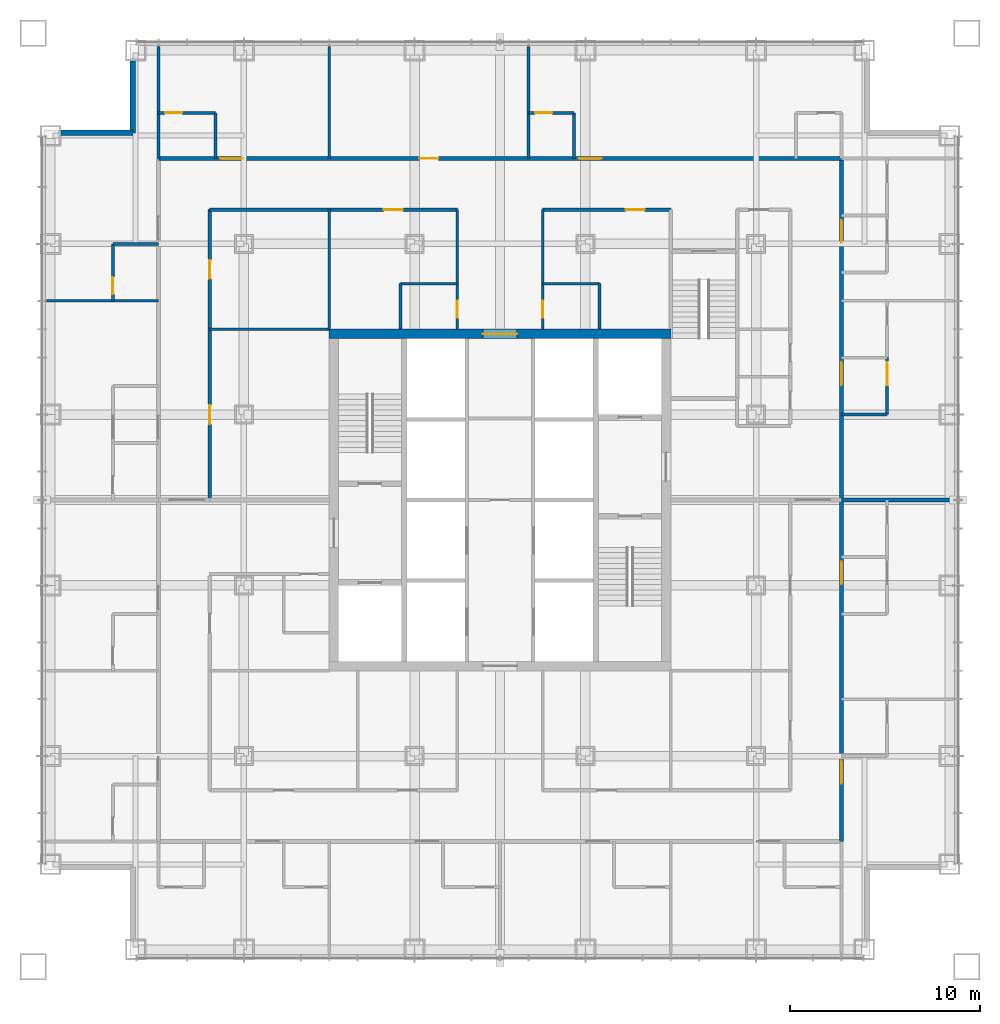
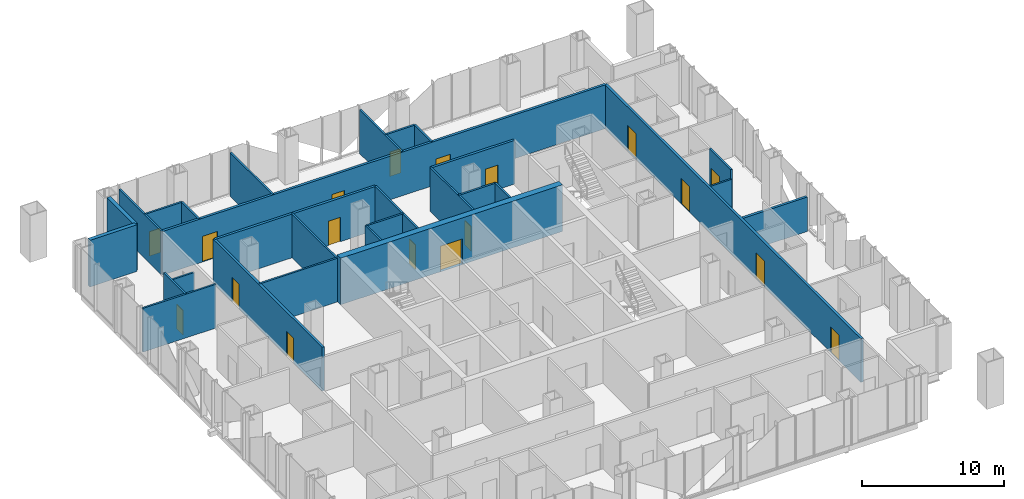
# One storey, part 11 of 13: 29 walls, 18 doors, 18 openings.
"""IFC4 building model written with IfcOpenShell, lengths in metres."""

import ifcopenshell
import ifcopenshell.guid

model = None  # the IFC model being written
_history = None  # IfcOwnerHistory: only IFC2X3 demands one
_inside = {}  # id of a spatial element -> (the spatial element, [elements in it])
_under = {}  # id of a project, library or spatial element -> (it, [spatial elements below it])
_declared = {}  # id of a project -> (the project, [libraries it declares])
_typed = {}  # id of a type object -> (the type object, [elements of that type])
_made_of = {}  # id of a material, layer set ... -> (it, [elements and type objects made of it])


def new_model(schema):
    """Start an empty IFC model of exactly this schema.

    Asked for "IFC4X3", IfcOpenShell would pick the latest addendum, in which some entities
    have other attributes; the version numbers below select the first issue.
    IFC2X3 requires an IfcOwnerHistory on every rooted entity: one is made here for all.
    """
    global model, _history
    if schema == "IFC4X3":
        model = ifcopenshell.file(schema_version=(4, 3, 0, 0))
    else:
        model = ifcopenshell.file(schema=schema)
    _inside.clear()
    _under.clear()
    _declared.clear()
    _typed.clear()
    _made_of.clear()
    _history = None
    if model.schema == "IFC2X3":
        org = make("IfcOrganization", Name="unknown")
        user = make(
            "IfcPersonAndOrganization",
            ThePerson=make("IfcPerson", FamilyName="unknown"),
            TheOrganization=org,
        )
        app = make(
            "IfcApplication",
            ApplicationDeveloper=org,
            Version="unknown",
            ApplicationFullName="unknown",
            ApplicationIdentifier="unknown",
        )
        _history = make(
            "IfcOwnerHistory",
            OwningUser=user,
            OwningApplication=app,
            ChangeAction="ADDED",
            CreationDate=0,
        )
    return model


def make(cls, **values):
    """One entity of the class cls with the attributes given. An attribute that is None is left unset."""
    return model.create_entity(
        cls, **{name: value for name, value in values.items() if value is not None}
    )


def rooted(cls, **values):
    """An entity with a GlobalId (a new one), such as an element, a storey or a relation."""
    return make(cls, GlobalId=ifcopenshell.guid.new(), OwnerHistory=_history, **values)


def si_unit(unit_type, name, prefix=None):
    """IfcSIUnit, for example si_unit("LENGTHUNIT", "METRE", prefix="MILLI")."""
    return make("IfcSIUnit", UnitType=unit_type, Prefix=prefix, Name=name)


def assignment(units):
    """IfcUnitAssignment: the units of a project."""
    return None if units is None else make("IfcUnitAssignment", Units=units)


def point(xyz):
    """IfcCartesianPoint."""
    return None if xyz is None else make("IfcCartesianPoint", Coordinates=xyz)


def direction(xyz):
    """IfcDirection."""
    return None if xyz is None else make("IfcDirection", DirectionRatios=xyz)


def frame(location, z_axis=None, x_axis=None):
    """IfcAxis2Placement3D, a coordinate frame: its origin and axes. An axis left out is left unset."""
    return make(
        "IfcAxis2Placement3D",
        Location=point(location),
        Axis=direction(z_axis),
        RefDirection=direction(x_axis),
    )


def frame_2d(location, x_axis=None):
    """IfcAxis2Placement2D, a coordinate frame in the plane: its origin and x axis."""
    return make(
        "IfcAxis2Placement2D", Location=point(location), RefDirection=direction(x_axis)
    )


def origin():
    """The frame at (0, 0, 0) with its axes left unset."""
    return frame((0.0, 0.0, 0.0))


def place(relative_to, where):
    """IfcLocalPlacement: puts the frame where relative to a parent placement (None: the world)."""
    return make(
        "IfcLocalPlacement", PlacementRelTo=relative_to, RelativePlacement=where
    )


def context(
    kind, dimensions, precision=None, world=None, true_north=None, identifier=None
):
    """IfcGeometricRepresentationContext, for example the 3D "Model" context."""
    return make(
        "IfcGeometricRepresentationContext",
        ContextIdentifier=identifier,
        ContextType=kind,
        CoordinateSpaceDimension=dimensions,
        Precision=precision,
        WorldCoordinateSystem=world,
        TrueNorth=true_north,
    )


def subcontext(parent, identifier, kind, view, scale=None):
    """IfcGeometricRepresentationSubContext, for example "Body" below "Model"."""
    return make(
        "IfcGeometricRepresentationSubContext",
        ContextIdentifier=identifier,
        ContextType=kind,
        ParentContext=parent,
        TargetScale=scale,
        TargetView=view,
    )


def project(units=None, contexts=None):
    """IfcProject with its units and contexts."""
    return rooted(
        "IfcProject",
        Name="project",
        RepresentationContexts=contexts,
        UnitsInContext=assignment(units),
    )


def spatial(cls, under=None, at=None, **own):
    """A site, building, storey or space (cls), placed at a placement, below another one or the project."""
    s = rooted(cls, ObjectPlacement=at, **own)
    if under is not None:
        _under.setdefault(under.id(), (under, []))[1].append(s)
    return s


def profile(cls, at=None, kind="AREA", **sizes):
    """A parametric profile (cls). Its sizes go by their IFC names, for example OverallWidth=200.0."""
    return make(cls, ProfileType=kind, Position=at, **sizes)


def rectangle(**sizes):
    """IfcRectangleProfileDef."""
    return profile("IfcRectangleProfileDef", **sizes)


def extrude(swept, where, along, depth):
    """IfcExtrudedAreaSolid: the profile swept, set in the frame where, extruded along a direction by depth."""
    return make(
        "IfcExtrudedAreaSolid",
        SweptArea=swept,
        Position=where,
        ExtrudedDirection=direction(along),
        Depth=depth,
    )


def shape(context_of_items, identifier, shape_type, items):
    """IfcShapeRepresentation: the items that make up one representation, for example the "Body"."""
    return make(
        "IfcShapeRepresentation",
        ContextOfItems=context_of_items,
        RepresentationIdentifier=identifier,
        RepresentationType=shape_type,
        Items=items,
    )


def material(Name=None, Category=None):
    """IfcMaterial."""
    return make("IfcMaterial", Name=Name, Category=Category)


def layer(
    of_material, thickness, ventilated=None, Name=None, Category=None, Priority=None
):
    """IfcMaterialLayer: one layer of a wall or slab, of a material (None: an air gap)."""
    return make(
        "IfcMaterialLayer",
        Material=of_material,
        LayerThickness=thickness,
        IsVentilated=ventilated,
        Name=Name,
        Category=Category,
        Priority=Priority,
    )


def layer_set(layers, Name=None):
    """IfcMaterialLayerSet."""
    return make("IfcMaterialLayerSet", MaterialLayers=layers, LayerSetName=Name)


def made_of(thing, what):
    """Note that an element or type object is made of a material, layer set ...; save() writes the relation."""
    if what is not None:
        _made_of.setdefault(what.id(), (what, []))[1].append(thing)
    return thing


def type_object(cls, material=None, **own):
    """A type object (cls), such as IfcWallType, which elements share."""
    return made_of(rooted(cls, **own), material)


def element(
    cls,
    number,
    at=None,
    inside=None,
    cuts=None,
    type_object=None,
    material=None,
    context=None,
    identifier="Body",
    shape_type=None,
    held_by="IfcProductDefinitionShape",
    body=None,
    shapes=None,
    **own,
):
    """One element of the class cls, such as IfcWall. Its Tag is "e" and its number.

    at: its placement. inside: the storey or other place that contains it. cuts: it is an
    opening in that element (IfcRelVoidsElement). A single representation is given by context,
    identifier, shape_type and body (its items); several are given by shapes. held_by: the class
    of the entity that holds the representations. save() writes the other relations.
    """
    e = rooted(cls, Tag="e%d" % number, ObjectPlacement=at, **own)
    if body is not None:
        shapes = [shape(context, identifier, shape_type, body)]
    if shapes is not None:
        e.Representation = make(held_by, Representations=shapes)
    if inside is not None:
        _inside.setdefault(inside.id(), (inside, []))[1].append(e)
    if cuts is not None:
        rooted(
            "IfcRelVoidsElement", RelatingBuildingElement=cuts, RelatedOpeningElement=e
        )
    if type_object is not None:
        _typed.setdefault(type_object.id(), (type_object, []))[1].append(e)
    return made_of(e, material)


def fill(opening, filler):
    """IfcRelFillsElement: the door or window that sits in an opening."""
    return rooted(
        "IfcRelFillsElement",
        RelatingOpeningElement=opening,
        RelatedBuildingElement=filler,
    )


def aggregate(whole, parts):
    """IfcRelAggregates: a whole, such as a stair, and the parts it consists of."""
    return rooted("IfcRelAggregates", RelatingObject=whole, RelatedObjects=parts)


def save(model, path):
    """Write the relations noted so far, then the file.

    IfcRelAggregates (storeys below a building ...), IfcRelContainedInSpatialStructure (elements
    in a storey), IfcRelDefinesByType, IfcRelAssociatesMaterial and IfcRelDeclares: one each for
    every whole, place, type object, material and project.
    """
    for whole, parts in _under.values():
        aggregate(whole, parts)
    for where, things in _inside.values():
        rooted(
            "IfcRelContainedInSpatialStructure",
            RelatedElements=things,
            RelatingStructure=where,
        )
    for kind, things in _typed.values():
        rooted("IfcRelDefinesByType", RelatedObjects=things, RelatingType=kind)
    for what, things in _made_of.values():
        rooted("IfcRelAssociatesMaterial", RelatedObjects=things, RelatingMaterial=what)
    for by, libraries in _declared.values():
        rooted("IfcRelDeclares", RelatingContext=by, RelatedDefinitions=libraries)
    model.write(path)


model = new_model("IFC4")

# Units and contexts
model_context = context("Model", 3, precision=1e-05, world=origin(), true_north=direction((0.0, 1.0)))
body_context = subcontext(model_context, "Body", "Model", "MODEL_VIEW")
ifc_project = project(units=[si_unit("LENGTHUNIT", "METRE"), si_unit("AREAUNIT", "SQUARE_METRE"), si_unit("VOLUMEUNIT", "CUBIC_METRE"), si_unit("PLANEANGLEUNIT", "RADIAN"), si_unit("MASSUNIT", "GRAM", prefix="KILO")], contexts=[model_context])

# Site, building, storey
site_placement = place(None, origin())
site = spatial("IfcSite", under=ifc_project, at=site_placement, CompositionType="ELEMENT")
building_placement = place(site_placement, origin())
building = spatial("IfcBuilding", under=site, at=building_placement, Name="Malebo Sky Hospital", CompositionType="ELEMENT")
storey_placement = place(building_placement, frame((0.0, 0.0, 156.0)))
storey = spatial("IfcBuildingStorey", under=building, at=storey_placement, Name="L37", CompositionType="ELEMENT", Elevation=156.0)

# Wall, opening, door
ifc_material_1 = material(Name="Concrete C80/95", Category="concrete")
ifc_layer_1 = layer(ifc_material_1, 0.5)
ifc_layer_set_1 = layer_set([ifc_layer_1], Name="CORE WALL 500")
wall_type_1 = type_object("IfcWallType", Name="CORE WALL 500", PredefinedType="SHEAR", material=ifc_layer_set_1)
wall_1_placement = place(storey_placement, frame((51.0, 70.75, 0.0), z_axis=(0.0, 0.0, 1.0), x_axis=(1.0, 0.0, 0.0)))
wall_1 = element("IfcWall", 1, at=wall_1_placement, inside=storey, type_object=wall_type_1, Name="Core wall N L37", PredefinedType="SHEAR", context=body_context, shape_type="SweptSolid", body=[
    extrude(rectangle(XDim=18.0, YDim=0.5, at=frame_2d((9.0, 0.0))), origin(), (0.0, 0.0, 1.0), 4.0),
])
opening_1_placement = place(wall_1_placement, frame((8.10009765625, 0.0, 0.0)))
opening_1 = element("IfcOpeningElement", 2, at=opening_1_placement, cuts=wall_1, Name="Opening D06", PredefinedType="OPENING", context=body_context, shape_type="SweptSolid", body=[
    extrude(rectangle(XDim=1.800048828125, YDim=2.199951171875, at=frame_2d((0.89990234375, 1.10009765625))), frame((0.0, 0.260009765625, 0.0), z_axis=(0.0, -1.0, 0.0), x_axis=(1.0, 0.0, 0.0)), (0.0, 0.0, 1.0), 0.52001953125),
])
ifc_material_2 = material(Name="Hardwood-faced door leaf in steel frame", Category="steel")
door_type_1 = type_object("IfcDoorType", Name="LOBBY DOOR PAIR 1800", OperationType="DOUBLE_DOOR_SINGLE_SWING", PredefinedType="DOOR", material=ifc_material_2)
door_1_placement = place(opening_1_placement, origin())
door_1 = element("IfcDoor", 3, at=door_1_placement, inside=storey, type_object=door_type_1, Name="ward pantry door north", OperationType="DOUBLE_DOOR_SINGLE_SWING", OverallHeight=2.199951171875, OverallWidth=1.800048828125, PredefinedType="DOOR", context=body_context, shape_type="SweptSolid", body=[
    extrude(rectangle(XDim=1.800048828125, YDim=2.199951171875, at=frame_2d((0.89990234375, 1.10009765625))), frame((0.0, 0.02490234375, 0.0), z_axis=(0.0, -1.0, 0.0), x_axis=(1.0, 0.0, 0.0)), (0.0, 0.0, 1.0), 0.050048828125),
])
fill(opening_1, door_1)

# Wall, openings, doors
ifc_material_3 = material(Name="Gypsum board on steel studs", Category="steel")
ifc_layer_2 = layer(ifc_material_3, 0.199951171875)
ifc_layer_set_2 = layer_set([ifc_layer_2], Name="CORRIDOR WALL 200")
wall_type_2 = type_object("IfcWallType", Name="CORRIDOR WALL 200", PredefinedType="PARTITIONING", material=ifc_layer_set_2)
wall_2_placement = place(storey_placement, frame((42.0, 80.0, 0.0), z_axis=(0.0, 0.0, 1.0), x_axis=(1.0, 0.0, 0.0)))
wall_2 = element("IfcWall", 4, at=wall_2_placement, inside=storey, type_object=wall_type_2, Name="Corridor Wall 200 NCO", PredefinedType="PARTITIONING", context=body_context, shape_type="SweptSolid", body=[
    extrude(rectangle(XDim=36.0, YDim=0.199951171875, at=frame_2d((18.0, 0.0))), origin(), (0.0, 0.0, 1.0), 3.75),
])
opening_2_placement = place(wall_2_placement, frame((3.25, 0.0, 0.0)))
opening_2 = element("IfcOpeningElement", 5, at=opening_2_placement, cuts=wall_2, Name="Opening D01", PredefinedType="OPENING", context=body_context, shape_type="SweptSolid", body=[
    extrude(rectangle(XDim=1.199951171875, YDim=2.199951171875, at=frame_2d((0.60009765625, 1.10009765625))), frame((0.0, 0.10986328125, 0.0), z_axis=(0.0, -1.0, 0.0), x_axis=(1.0, 0.0, 0.0)), (0.0, 0.0, 1.0), 0.219970703125),
])
opening_3_placement = place(wall_2_placement, frame((13.75, 0.0, 0.0)))
opening_3 = element("IfcOpeningElement", 6, at=opening_3_placement, cuts=wall_2, Name="Opening D03", PredefinedType="OPENING", context=body_context, shape_type="SweptSolid", body=[
    extrude(rectangle(XDim=1.0, YDim=2.10009765625, at=frame_2d((0.5, 1.050048828125))), frame((0.0, 0.10986328125, 0.0), z_axis=(0.0, -1.0, 0.0), x_axis=(1.0, 0.0, 0.0)), (0.0, 0.0, 1.0), 0.219970703125),
])
opening_4_placement = place(wall_2_placement, frame((22.14990234375, 0.0, 0.0)))
opening_4 = element("IfcOpeningElement", 7, at=opening_4_placement, cuts=wall_2, Name="Opening D01", PredefinedType="OPENING", context=body_context, shape_type="SweptSolid", body=[
    extrude(rectangle(XDim=1.199951171875, YDim=2.199951171875, at=frame_2d((0.60009765625, 1.10009765625))), frame((0.0, 0.10986328125, 0.0), z_axis=(0.0, -1.0, 0.0), x_axis=(1.0, 0.0, 0.0)), (0.0, 0.0, 1.0), 0.219970703125),
])
door_type_2 = type_object("IfcDoorType", Name="BED DOOR 1200", OperationType="SINGLE_SWING_LEFT", PredefinedType="DOOR", material=ifc_material_2)
door_2_placement = place(opening_2_placement, origin())
door_2 = element("IfcDoor", 8, at=door_2_placement, inside=storey, type_object=door_type_2, Name="Two-bed room door", OperationType="SINGLE_SWING_LEFT", OverallHeight=2.199951171875, OverallWidth=1.199951171875, PredefinedType="DOOR", context=body_context, shape_type="SweptSolid", body=[
    extrude(rectangle(XDim=1.199951171875, YDim=2.199951171875, at=frame_2d((0.60009765625, 1.10009765625))), frame((0.0, 0.02490234375, 0.0), z_axis=(0.0, -1.0, 0.0), x_axis=(1.0, 0.0, 0.0)), (0.0, 0.0, 1.0), 0.050048828125),
])
fill(opening_2, door_2)
door_3_placement = place(opening_4_placement, origin())
door_3 = element("IfcDoor", 9, at=door_3_placement, inside=storey, type_object=door_type_2, Name="Four-bed bay door", OperationType="SINGLE_SWING_LEFT", OverallHeight=2.199951171875, OverallWidth=1.199951171875, PredefinedType="DOOR", context=body_context, shape_type="SweptSolid", body=[
    extrude(rectangle(XDim=1.199951171875, YDim=2.199951171875, at=frame_2d((0.60009765625, 1.10009765625))), frame((0.0, 0.02490234375, 0.0), z_axis=(0.0, -1.0, 0.0), x_axis=(1.0, 0.0, 0.0)), (0.0, 0.0, 1.0), 0.050048828125),
])
fill(opening_4, door_3)
door_type_3 = type_object("IfcDoorType", Name="ROOM DOOR 1000", OperationType="SINGLE_SWING_LEFT", PredefinedType="DOOR", material=ifc_material_2)
door_4_placement = place(opening_3_placement, origin())
door_4 = element("IfcDoor", 10, at=door_4_placement, inside=storey, type_object=door_type_3, Name="Patient lounge door", OperationType="SINGLE_SWING_LEFT", OverallHeight=2.10009765625, OverallWidth=1.0, PredefinedType="DOOR", context=body_context, shape_type="SweptSolid", body=[
    extrude(rectangle(XDim=1.0, YDim=2.10009765625, at=frame_2d((0.5, 1.050048828125))), frame((0.0, 0.02490234375, 0.0), z_axis=(0.0, -1.0, 0.0), x_axis=(1.0, 0.0, 0.0)), (0.0, 0.0, 1.0), 0.050048828125),
])
fill(opening_3, door_4)

# Wall, opening, door
wall_3_placement = place(storey_placement, frame((44.699951171875, 77.300048828125, 0.0), z_axis=(0.0, 0.0, 1.0), x_axis=(1.0, 0.0, 0.0)))
wall_3 = element("IfcWall", 11, at=wall_3_placement, inside=storey, type_object=wall_type_2, Name="Corridor Wall 200 NCI1", PredefinedType="PARTITIONING", context=body_context, shape_type="SweptSolid", body=[
    extrude(rectangle(XDim=13.050048828125, YDim=0.199951171875, at=frame_2d((6.52490234375, 0.0))), origin(), (0.0, 0.0, 1.0), 3.75),
])
opening_5_placement = place(wall_3_placement, frame((9.175048828125, 0.0, 0.0)))
opening_5 = element("IfcOpeningElement", 12, at=opening_5_placement, cuts=wall_3, Name="Opening D03", PredefinedType="OPENING", context=body_context, shape_type="SweptSolid", body=[
    extrude(rectangle(XDim=1.0, YDim=2.10009765625, at=frame_2d((0.5, 1.050048828125))), frame((0.0, 0.10986328125, 0.0), z_axis=(0.0, -1.0, 0.0), x_axis=(1.0, 0.0, 0.0)), (0.0, 0.0, 1.0), 0.219970703125),
])
door_5_placement = place(opening_5_placement, origin())
door_5 = element("IfcDoor", 13, at=door_5_placement, inside=storey, type_object=door_type_3, Name="Clean utility room door", OperationType="SINGLE_SWING_LEFT", OverallHeight=2.10009765625, OverallWidth=1.0, PredefinedType="DOOR", context=body_context, shape_type="SweptSolid", body=[
    extrude(rectangle(XDim=1.0, YDim=2.10009765625, at=frame_2d((0.5, 1.050048828125))), frame((0.0, 0.02490234375, 0.0), z_axis=(0.0, -1.0, 0.0), x_axis=(1.0, 0.0, 0.0)), (0.0, 0.0, 1.0), 0.050048828125),
])
fill(opening_5, door_5)

wall_4_placement = place(storey_placement, frame((62.25, 77.300048828125, 0.0), z_axis=(0.0, 0.0, 1.0), x_axis=(1.0, 0.0, 0.0)))
wall_4 = element("IfcWall", 14, at=wall_4_placement, inside=storey, type_object=wall_type_2, Name="Corridor Wall 200 NCI2", PredefinedType="PARTITIONING", context=body_context, shape_type="SweptSolid", body=[
    extrude(rectangle(XDim=6.75, YDim=0.199951171875, at=frame_2d((3.375, 0.0))), origin(), (0.0, 0.0, 1.0), 3.75),
])
opening_6_placement = place(wall_4_placement, frame((4.375, 0.0, 0.0)))
opening_6 = element("IfcOpeningElement", 15, at=opening_6_placement, cuts=wall_4, Name="Opening D03", PredefinedType="OPENING", context=body_context, shape_type="SweptSolid", body=[
    extrude(rectangle(XDim=1.0, YDim=2.10009765625, at=frame_2d((0.5, 1.050048828125))), frame((0.0, 0.10986328125, 0.0), z_axis=(0.0, -1.0, 0.0), x_axis=(1.0, 0.0, 0.0)), (0.0, 0.0, 1.0), 0.219970703125),
])
door_6_placement = place(opening_6_placement, origin())
door_6 = element("IfcDoor", 16, at=door_6_placement, inside=storey, type_object=door_type_3, Name="Treatment room door", OperationType="SINGLE_SWING_RIGHT", OverallHeight=2.10009765625, OverallWidth=1.0, PredefinedType="DOOR", context=body_context, shape_type="SweptSolid", body=[
    extrude(rectangle(XDim=1.0, YDim=2.10009765625, at=frame_2d((0.5, 1.050048828125))), frame((0.0, 0.02490234375, 0.0), z_axis=(0.0, -1.0, 0.0), x_axis=(1.0, 0.0, 0.0)), (0.0, 0.0, 1.0), 0.050048828125),
])
fill(opening_6, door_6)

# Wall, openings, doors
wall_5_placement = place(storey_placement, frame((44.699951171875, 62.0, 0.0), z_axis=(0.0, 0.0, 1.0), x_axis=(0.0, 1.0, 0.0)))
wall_5 = element("IfcWall", 17, at=wall_5_placement, inside=storey, type_object=wall_type_2, Name="Corridor Wall 200 WCI2", PredefinedType="PARTITIONING", context=body_context, shape_type="SweptSolid", body=[
    extrude(rectangle(XDim=15.300048828125, YDim=0.199951171875, at=frame_2d((7.64990234375, 0.0))), origin(), (0.0, 0.0, 1.0), 3.75),
])
opening_7_placement = place(wall_5_placement, frame((4.0, 0.0, 0.0)))
opening_7 = element("IfcOpeningElement", 18, at=opening_7_placement, cuts=wall_5, Name="Opening D03", PredefinedType="OPENING", context=body_context, shape_type="SweptSolid", body=[
    extrude(rectangle(XDim=1.0, YDim=2.10009765625, at=frame_2d((0.5, 1.050048828125))), frame((0.0, 0.10986328125, 0.0), z_axis=(0.0, -1.0, 0.0), x_axis=(1.0, 0.0, 0.0)), (0.0, 0.0, 1.0), 0.219970703125),
])
opening_8_placement = place(wall_5_placement, frame((11.64990234375, 0.0, 0.0)))
opening_8 = element("IfcOpeningElement", 19, at=opening_8_placement, cuts=wall_5, Name="Opening D03", PredefinedType="OPENING", context=body_context, shape_type="SweptSolid", body=[
    extrude(rectangle(XDim=1.0, YDim=2.10009765625, at=frame_2d((0.5, 1.050048828125))), frame((0.0, 0.10986328125, 0.0), z_axis=(0.0, -1.0, 0.0), x_axis=(1.0, 0.0, 0.0)), (0.0, 0.0, 1.0), 0.219970703125),
])
door_7_placement = place(opening_7_placement, origin())
door_7 = element("IfcDoor", 20, at=door_7_placement, inside=storey, type_object=door_type_3, Name="Nurse station door", OperationType="SINGLE_SWING_LEFT", OverallHeight=2.10009765625, OverallWidth=1.0, PredefinedType="DOOR", context=body_context, shape_type="SweptSolid", body=[
    extrude(rectangle(XDim=1.0, YDim=2.10009765625, at=frame_2d((0.5, 1.050048828125))), frame((0.0, 0.02490234375, 0.0), z_axis=(0.0, -1.0, 0.0), x_axis=(1.0, 0.0, 0.0)), (0.0, 0.0, 1.0), 0.050048828125),
])
fill(opening_7, door_7)
door_8_placement = place(opening_8_placement, origin())
door_8 = element("IfcDoor", 21, at=door_8_placement, inside=storey, type_object=door_type_3, Name="Ward pantry door", OperationType="SINGLE_SWING_RIGHT", OverallHeight=2.10009765625, OverallWidth=1.0, PredefinedType="DOOR", context=body_context, shape_type="SweptSolid", body=[
    extrude(rectangle(XDim=1.0, YDim=2.10009765625, at=frame_2d((0.5, 1.050048828125))), frame((0.0, 0.02490234375, 0.0), z_axis=(0.0, -1.0, 0.0), x_axis=(1.0, 0.0, 0.0)), (0.0, 0.0, 1.0), 0.050048828125),
])
fill(opening_8, door_8)

wall_6_placement = place(storey_placement, frame((78.0, 80.0, 0.0), z_axis=(0.0, 0.0, 1.0), x_axis=(0.0, -1.0, 0.0)))
wall_6 = element("IfcWall", 22, at=wall_6_placement, inside=storey, type_object=wall_type_2, Name="Corridor Wall 200 ECO", PredefinedType="PARTITIONING", context=body_context, shape_type="SweptSolid", body=[
    extrude(rectangle(XDim=36.0, YDim=0.199951171875, at=frame_2d((18.0, 0.0))), origin(), (0.0, 0.0, 1.0), 3.75),
])
opening_9_placement = place(wall_6_placement, frame((3.25, 0.0, 0.0)))
opening_9 = element("IfcOpeningElement", 23, at=opening_9_placement, cuts=wall_6, Name="Opening D18", PredefinedType="OPENING", context=body_context, shape_type="SweptSolid", body=[
    extrude(rectangle(XDim=1.199951171875, YDim=2.199951171875, at=frame_2d((0.60009765625, 1.10009765625))), frame((0.0, 0.10986328125, 0.0), z_axis=(0.0, -1.0, 0.0), x_axis=(1.0, 0.0, 0.0)), (0.0, 0.0, 1.0), 0.219970703125),
])
opening_10_placement = place(wall_6_placement, frame((10.75, 0.0, 0.0)))
opening_10 = element("IfcOpeningElement", 24, at=opening_10_placement, cuts=wall_6, Name="Opening D18", PredefinedType="OPENING", context=body_context, shape_type="SweptSolid", body=[
    extrude(rectangle(XDim=1.199951171875, YDim=2.199951171875, at=frame_2d((0.60009765625, 1.10009765625))), frame((0.0, 0.10986328125, 0.0), z_axis=(0.0, -1.0, 0.0), x_axis=(1.0, 0.0, 0.0)), (0.0, 0.0, 1.0), 0.219970703125),
])
opening_11_placement = place(wall_6_placement, frame((21.25, 0.0, 0.0)))
opening_11 = element("IfcOpeningElement", 25, at=opening_11_placement, cuts=wall_6, Name="Opening D18", PredefinedType="OPENING", context=body_context, shape_type="SweptSolid", body=[
    extrude(rectangle(XDim=1.199951171875, YDim=2.199951171875, at=frame_2d((0.60009765625, 1.10009765625))), frame((0.0, 0.10986328125, 0.0), z_axis=(0.0, -1.0, 0.0), x_axis=(1.0, 0.0, 0.0)), (0.0, 0.0, 1.0), 0.219970703125),
])
opening_12_placement = place(wall_6_placement, frame((31.75, 0.0, 0.0)))
opening_12 = element("IfcOpeningElement", 26, at=opening_12_placement, cuts=wall_6, Name="Opening D01", PredefinedType="OPENING", context=body_context, shape_type="SweptSolid", body=[
    extrude(rectangle(XDim=1.199951171875, YDim=2.199951171875, at=frame_2d((0.60009765625, 1.10009765625))), frame((0.0, 0.10986328125, 0.0), z_axis=(0.0, -1.0, 0.0), x_axis=(1.0, 0.0, 0.0)), (0.0, 0.0, 1.0), 0.219970703125),
])
door_type_4 = type_object("IfcDoorType", Name="ANTEROOM DOOR 1200", OperationType="SINGLE_SWING_LEFT", PredefinedType="DOOR", material=ifc_material_2)
door_9_placement = place(opening_9_placement, origin())
door_9 = element("IfcDoor", 27, at=door_9_placement, inside=storey, type_object=door_type_4, Name="Anteroom door", OperationType="SINGLE_SWING_LEFT", OverallHeight=2.199951171875, OverallWidth=1.199951171875, PredefinedType="DOOR", context=body_context, shape_type="SweptSolid", body=[
    extrude(rectangle(XDim=1.199951171875, YDim=2.199951171875, at=frame_2d((0.60009765625, 1.10009765625))), frame((0.0, 0.02490234375, 0.0), z_axis=(0.0, -1.0, 0.0), x_axis=(1.0, 0.0, 0.0)), (0.0, 0.0, 1.0), 0.050048828125),
])
fill(opening_9, door_9)
door_10_placement = place(opening_10_placement, origin())
door_10 = element("IfcDoor", 28, at=door_10_placement, inside=storey, type_object=door_type_4, Name="Anteroom door", OperationType="SINGLE_SWING_LEFT", OverallHeight=2.199951171875, OverallWidth=1.199951171875, PredefinedType="DOOR", context=body_context, shape_type="SweptSolid", body=[
    extrude(rectangle(XDim=1.199951171875, YDim=2.199951171875, at=frame_2d((0.60009765625, 1.10009765625))), frame((0.0, 0.02490234375, 0.0), z_axis=(0.0, -1.0, 0.0), x_axis=(1.0, 0.0, 0.0)), (0.0, 0.0, 1.0), 0.050048828125),
])
fill(opening_10, door_10)
door_11_placement = place(opening_11_placement, origin())
door_11 = element("IfcDoor", 29, at=door_11_placement, inside=storey, type_object=door_type_4, Name="Anteroom door", OperationType="SINGLE_SWING_LEFT", OverallHeight=2.199951171875, OverallWidth=1.199951171875, PredefinedType="DOOR", context=body_context, shape_type="SweptSolid", body=[
    extrude(rectangle(XDim=1.199951171875, YDim=2.199951171875, at=frame_2d((0.60009765625, 1.10009765625))), frame((0.0, 0.02490234375, 0.0), z_axis=(0.0, -1.0, 0.0), x_axis=(1.0, 0.0, 0.0)), (0.0, 0.0, 1.0), 0.050048828125),
])
fill(opening_11, door_11)
door_12_placement = place(opening_12_placement, origin())
door_12 = element("IfcDoor", 30, at=door_12_placement, inside=storey, type_object=door_type_2, Name="Two-bed room door", OperationType="SINGLE_SWING_LEFT", OverallHeight=2.199951171875, OverallWidth=1.199951171875, PredefinedType="DOOR", context=body_context, shape_type="SweptSolid", body=[
    extrude(rectangle(XDim=1.199951171875, YDim=2.199951171875, at=frame_2d((0.60009765625, 1.10009765625))), frame((0.0, 0.02490234375, 0.0), z_axis=(0.0, -1.0, 0.0), x_axis=(1.0, 0.0, 0.0)), (0.0, 0.0, 1.0), 0.050048828125),
])
fill(opening_12, door_12)

# Walls
ifc_material_4 = material(Name="Anodised aluminium rainscreen on steel framing", Category="steel")
ifc_layer_3 = layer(ifc_material_4, 0.300048828125)
ifc_layer_set_3 = layer_set([ifc_layer_3], Name="NOTCH RAINSCREEN WALL 300")
wall_type_3 = type_object("IfcWallType", Name="NOTCH RAINSCREEN WALL 300", PredefinedType="ELEMENTEDWALL", material=ifc_layer_set_3)
for number, where, z_axis, x_axis, name in (
    (31, (36.85009765625, 81.35009765625, 0.0), (0.0, 0.0, 1.0), (1.0, 0.0, 0.0), "Notch rainscreen wall W1 L37"),
    (32, (40.64990234375, 81.35009765625, 0.0), (0.0, 0.0, 1.0), (0.0, 1.0, 0.0), "Notch rainscreen wall W2 L37"),
):
    element("IfcWall", number, at=place(storey_placement, frame(where, z_axis=z_axis, x_axis=x_axis)), inside=storey, type_object=wall_type_3, Name=name, PredefinedType="ELEMENTEDWALL", context=body_context, shape_type="SweptSolid", body=[
        extrude(rectangle(XDim=3.7998046875, YDim=0.300048828125, at=frame_2d((1.89990234375, 0.0))), origin(), (0.0, 0.0, 1.0), 4.0),
    ])
ifc_layer_4 = layer(ifc_material_3, 0.14990234375)
ifc_layer_set_4 = layer_set([ifc_layer_4], Name="PARTITION 150")
wall_type_4 = type_object("IfcWallType", Name="PARTITION 150", PredefinedType="PARTITIONING", material=ifc_layer_set_4)
for number, where, z_axis, x_axis, name in (
    (33, (51.0, 80.0, 0.0), (0.0, 0.0, 1.0), (0.0, 1.0, 0.0), "Partition 150 NP-9.0"),
    (34, (61.5, 80.0, 0.0), (0.0, 0.0, 1.0), (0.0, 1.0, 0.0), "Partition 150 NP+1.5"),
    (35, (42.0, 80.0, 0.0), (0.0, 0.0, 1.0), (0.0, 1.0, 0.0), "Partition 150 NP0"),
):
    element("IfcWall", number, at=place(storey_placement, frame(where, z_axis=z_axis, x_axis=x_axis)), inside=storey, type_object=wall_type_4, Name=name, PredefinedType="PARTITIONING", context=body_context, shape_type="SweptSolid", body=[
        extrude(rectangle(XDim=5.909912109375, YDim=0.14990234375, at=frame_2d((2.955078125, 0.0))), origin(), (0.0, 0.0, 1.0), 3.75),
    ])

# Wall, opening, door
wall_7_placement = place(storey_placement, frame((42.0, 82.39990234375, 0.0), z_axis=(0.0, 0.0, 1.0), x_axis=(1.0, 0.0, 0.0)))
wall_7 = element("IfcWall", 36, at=wall_7_placement, inside=storey, type_object=wall_type_4, Name="Partition 150 NE0F", PredefinedType="PARTITIONING", context=body_context, shape_type="SweptSolid", body=[
    extrude(rectangle(XDim=3.0, YDim=0.14990234375, at=frame_2d((1.5, 0.0))), origin(), (0.0, 0.0, 1.0), 3.75),
])
opening_13_placement = place(wall_7_placement, frame((0.35009765625, 0.0, 0.0)))
opening_13 = element("IfcOpeningElement", 37, at=opening_13_placement, cuts=wall_7, Name="Opening D02", PredefinedType="OPENING", context=body_context, shape_type="SweptSolid", body=[
    extrude(rectangle(XDim=0.89990234375, YDim=2.10009765625, at=frame_2d((0.449951171875, 1.050048828125))), frame((0.0, 0.0849609375, 0.0), z_axis=(0.0, -1.0, 0.0), x_axis=(1.0, 0.0, 0.0)), (0.0, 0.0, 1.0), 0.169921875),
])
door_type_5 = type_object("IfcDoorType", Name="EN-SUITE DOOR 900", OperationType="SINGLE_SWING_LEFT", PredefinedType="DOOR", material=ifc_material_2)
door_13_placement = place(opening_13_placement, origin())
door_13 = element("IfcDoor", 38, at=door_13_placement, inside=storey, type_object=door_type_5, Name="En-suite door", OperationType="SINGLE_SWING_LEFT", OverallHeight=2.10009765625, OverallWidth=0.89990234375, PredefinedType="DOOR", context=body_context, shape_type="SweptSolid", body=[
    extrude(rectangle(XDim=0.89990234375, YDim=2.10009765625, at=frame_2d((0.449951171875, 1.050048828125))), frame((0.0, 0.02490234375, 0.0), z_axis=(0.0, -1.0, 0.0), x_axis=(1.0, 0.0, 0.0)), (0.0, 0.0, 1.0), 0.050048828125),
])
fill(opening_13, door_13)

# Wall
wall_8_placement = place(storey_placement, frame((45.0, 80.0, 0.0), z_axis=(0.0, 0.0, 1.0), x_axis=(0.0, 1.0, 0.0)))
element("IfcWall", 39, at=wall_8_placement, inside=storey, type_object=wall_type_4, Name="Partition 150 NE0S", PredefinedType="PARTITIONING", context=body_context, shape_type="SweptSolid", body=[
    extrude(rectangle(XDim=2.39990234375, YDim=0.14990234375, at=frame_2d((1.199951171875, 0.0))), origin(), (0.0, 0.0, 1.0), 3.75),
])

# Wall, opening, door
wall_9_placement = place(storey_placement, frame((61.5, 82.39990234375, 0.0), z_axis=(0.0, 0.0, 1.0), x_axis=(1.0, 0.0, 0.0)))
wall_9 = element("IfcWall", 40, at=wall_9_placement, inside=storey, type_object=wall_type_4, Name="Partition 150 NE2F", PredefinedType="PARTITIONING", context=body_context, shape_type="SweptSolid", body=[
    extrude(rectangle(XDim=2.39990234375, YDim=0.14990234375, at=frame_2d((1.199951171875, 0.0))), origin(), (0.0, 0.0, 1.0), 3.75),
])
opening_14_placement = place(wall_9_placement, frame((0.35009765625, 0.0, 0.0)))
opening_14 = element("IfcOpeningElement", 41, at=opening_14_placement, cuts=wall_9, Name="Opening D02", PredefinedType="OPENING", context=body_context, shape_type="SweptSolid", body=[
    extrude(rectangle(XDim=0.89990234375, YDim=2.10009765625, at=frame_2d((0.449951171875, 1.050048828125))), frame((0.0, 0.0849609375, 0.0), z_axis=(0.0, -1.0, 0.0), x_axis=(1.0, 0.0, 0.0)), (0.0, 0.0, 1.0), 0.169921875),
])
door_14_placement = place(opening_14_placement, origin())
door_14 = element("IfcDoor", 42, at=door_14_placement, inside=storey, type_object=door_type_5, Name="En-suite door", OperationType="SINGLE_SWING_LEFT", OverallHeight=2.10009765625, OverallWidth=0.89990234375, PredefinedType="DOOR", context=body_context, shape_type="SweptSolid", body=[
    extrude(rectangle(XDim=0.89990234375, YDim=2.10009765625, at=frame_2d((0.449951171875, 1.050048828125))), frame((0.0, 0.02490234375, 0.0), z_axis=(0.0, -1.0, 0.0), x_axis=(1.0, 0.0, 0.0)), (0.0, 0.0, 1.0), 0.050048828125),
])
fill(opening_14, door_14)

# Walls
wall_10_placement = place(storey_placement, frame((63.89990234375, 80.0, 0.0), z_axis=(0.0, 0.0, 1.0), x_axis=(0.0, 1.0, 0.0)))
element("IfcWall", 43, at=wall_10_placement, inside=storey, type_object=wall_type_4, Name="Partition 150 NE2S", PredefinedType="PARTITIONING", context=body_context, shape_type="SweptSolid", body=[
    extrude(rectangle(XDim=2.39990234375, YDim=0.14990234375, at=frame_2d((1.199951171875, 0.0))), origin(), (0.0, 0.0, 1.0), 3.75),
])
wall_11_placement = place(storey_placement, frame((51.0, 71.0, 0.0), z_axis=(0.0, 0.0, 1.0), x_axis=(0.0, 1.0, 0.0)))
element("IfcWall", 44, at=wall_11_placement, inside=storey, type_object=wall_type_4, Name="Partition 150 NSP0", PredefinedType="PARTITIONING", context=body_context, shape_type="SweptSolid", body=[
    extrude(rectangle(XDim=6.300048828125, YDim=0.14990234375, at=frame_2d((3.14990234375, 0.0))), origin(), (0.0, 0.0, 1.0), 3.75),
])

# Wall, opening, door
wall_12_placement = place(storey_placement, frame((57.75, 71.0, 0.0), z_axis=(0.0, 0.0, 1.0), x_axis=(0.0, 1.0, 0.0)))
wall_12 = element("IfcWall", 45, at=wall_12_placement, inside=storey, type_object=wall_type_4, Name="Partition 150 NSPA", PredefinedType="PARTITIONING", context=body_context, shape_type="SweptSolid", body=[
    extrude(rectangle(XDim=6.300048828125, YDim=0.14990234375, at=frame_2d((3.14990234375, 0.0))), origin(), (0.0, 0.0, 1.0), 3.75),
])
opening_15_placement = place(wall_12_placement, frame((0.60009765625, 0.0, 0.0)))
opening_15 = element("IfcOpeningElement", 46, at=opening_15_placement, cuts=wall_12, Name="Opening D04", PredefinedType="OPENING", context=body_context, shape_type="SweptSolid", body=[
    extrude(rectangle(XDim=0.89990234375, YDim=2.10009765625, at=frame_2d((0.449951171875, 1.050048828125))), frame((0.0, 0.0849609375, 0.0), z_axis=(0.0, -1.0, 0.0), x_axis=(1.0, 0.0, 0.0)), (0.0, 0.0, 1.0), 0.169921875),
])
door_type_6 = type_object("IfcDoorType", Name="ROOM DOOR 900", OperationType="SINGLE_SWING_LEFT", PredefinedType="DOOR", material=ifc_material_2)
door_15_placement = place(opening_15_placement, origin())
door_15 = element("IfcDoor", 47, at=door_15_placement, inside=storey, type_object=door_type_6, Name="Staff WC door", OperationType="SINGLE_SWING_LEFT", OverallHeight=2.10009765625, OverallWidth=0.89990234375, PredefinedType="DOOR", context=body_context, shape_type="SweptSolid", body=[
    extrude(rectangle(XDim=0.89990234375, YDim=2.10009765625, at=frame_2d((0.449951171875, 1.050048828125))), frame((0.0, 0.02490234375, 0.0), z_axis=(0.0, -1.0, 0.0), x_axis=(1.0, 0.0, 0.0)), (0.0, 0.0, 1.0), 0.050048828125),
])
fill(opening_15, door_15)

wall_13_placement = place(storey_placement, frame((62.25, 71.0, 0.0), z_axis=(0.0, 0.0, 1.0), x_axis=(0.0, 1.0, 0.0)))
wall_13 = element("IfcWall", 48, at=wall_13_placement, inside=storey, type_object=wall_type_4, Name="Partition 150 NSPB", PredefinedType="PARTITIONING", context=body_context, shape_type="SweptSolid", body=[
    extrude(rectangle(XDim=6.300048828125, YDim=0.14990234375, at=frame_2d((3.14990234375, 0.0))), origin(), (0.0, 0.0, 1.0), 3.75),
])
opening_16_placement = place(wall_13_placement, frame((0.60009765625, 0.0, 0.0)))
opening_16 = element("IfcOpeningElement", 49, at=opening_16_placement, cuts=wall_13, Name="Opening D04", PredefinedType="OPENING", context=body_context, shape_type="SweptSolid", body=[
    extrude(rectangle(XDim=0.89990234375, YDim=2.10009765625, at=frame_2d((0.449951171875, 1.050048828125))), frame((0.0, 0.0849609375, 0.0), z_axis=(0.0, -1.0, 0.0), x_axis=(1.0, 0.0, 0.0)), (0.0, 0.0, 1.0), 0.169921875),
])
door_16_placement = place(opening_16_placement, origin())
door_16 = element("IfcDoor", 50, at=door_16_placement, inside=storey, type_object=door_type_6, Name="Accessible WC door", OperationType="SINGLE_SWING_LEFT", OverallHeight=2.10009765625, OverallWidth=0.89990234375, PredefinedType="DOOR", context=body_context, shape_type="SweptSolid", body=[
    extrude(rectangle(XDim=0.89990234375, YDim=2.10009765625, at=frame_2d((0.449951171875, 1.050048828125))), frame((0.0, 0.02490234375, 0.0), z_axis=(0.0, -1.0, 0.0), x_axis=(1.0, 0.0, 0.0)), (0.0, 0.0, 1.0), 0.050048828125),
])
fill(opening_16, door_16)

# Walls
wall_14_placement = place(storey_placement, frame((54.75, 73.39990234375, 0.0), z_axis=(0.0, 0.0, 1.0), x_axis=(1.0, 0.0, 0.0)))
element("IfcWall", 51, at=wall_14_placement, inside=storey, type_object=wall_type_4, Name="Partition 150 NSX0", PredefinedType="PARTITIONING", context=body_context, shape_type="SweptSolid", body=[
    extrude(rectangle(XDim=3.0, YDim=0.14990234375, at=frame_2d((1.5, 0.0))), origin(), (0.0, 0.0, 1.0), 3.75),
])
wall_15_placement = place(storey_placement, frame((54.75, 71.0, 0.0), z_axis=(0.0, 0.0, 1.0), x_axis=(0.0, 1.0, 0.0)))
element("IfcWall", 52, at=wall_15_placement, inside=storey, type_object=wall_type_4, Name="Partition 150 NSY0", PredefinedType="PARTITIONING", context=body_context, shape_type="SweptSolid", body=[
    extrude(rectangle(XDim=2.39990234375, YDim=0.14990234375, at=frame_2d((1.199951171875, 0.0))), origin(), (0.0, 0.0, 1.0), 3.75),
])
wall_16_placement = place(storey_placement, frame((62.25, 73.39990234375, 0.0), z_axis=(0.0, 0.0, 1.0), x_axis=(1.0, 0.0, 0.0)))
element("IfcWall", 53, at=wall_16_placement, inside=storey, type_object=wall_type_4, Name="Partition 150 NSX1", PredefinedType="PARTITIONING", context=body_context, shape_type="SweptSolid", body=[
    extrude(rectangle(XDim=3.0, YDim=0.14990234375, at=frame_2d((1.5, 0.0))), origin(), (0.0, 0.0, 1.0), 3.75),
])
wall_17_placement = place(storey_placement, frame((65.25, 71.0, 0.0), z_axis=(0.0, 0.0, 1.0), x_axis=(0.0, 1.0, 0.0)))
element("IfcWall", 54, at=wall_17_placement, inside=storey, type_object=wall_type_4, Name="Partition 150 NSY1", PredefinedType="PARTITIONING", context=body_context, shape_type="SweptSolid", body=[
    extrude(rectangle(XDim=2.39990234375, YDim=0.14990234375, at=frame_2d((1.199951171875, 0.0))), origin(), (0.0, 0.0, 1.0), 3.75),
])
wall_18_placement = place(storey_placement, frame((42.0, 72.5, 0.0), z_axis=(0.0, 0.0, 1.0), x_axis=(-1.0, 0.0, 0.0)))
element("IfcWall", 55, at=wall_18_placement, inside=storey, type_object=wall_type_4, Name="Partition 150 WP+10.5", PredefinedType="PARTITIONING", context=body_context, shape_type="SweptSolid", body=[
    extrude(rectangle(XDim=5.909912109375, YDim=0.14990234375, at=frame_2d((2.955078125, 0.0))), origin(), (0.0, 0.0, 1.0), 3.75),
])

# Wall, opening, door
wall_19_placement = place(storey_placement, frame((39.60009765625, 72.5, 0.0), z_axis=(0.0, 0.0, 1.0), x_axis=(0.0, 1.0, 0.0)))
wall_19 = element("IfcWall", 56, at=wall_19_placement, inside=storey, type_object=wall_type_4, Name="Partition 150 WE3F", PredefinedType="PARTITIONING", context=body_context, shape_type="SweptSolid", body=[
    extrude(rectangle(XDim=3.0, YDim=0.14990234375, at=frame_2d((1.5, 0.0))), origin(), (0.0, 0.0, 1.0), 3.75),
])
opening_17_placement = place(wall_19_placement, frame((0.35009765625, 0.0, 0.0)))
opening_17 = element("IfcOpeningElement", 57, at=opening_17_placement, cuts=wall_19, Name="Opening D02", PredefinedType="OPENING", context=body_context, shape_type="SweptSolid", body=[
    extrude(rectangle(XDim=0.89990234375, YDim=2.10009765625, at=frame_2d((0.449951171875, 1.050048828125))), frame((0.0, 0.0849609375, 0.0), z_axis=(0.0, -1.0, 0.0), x_axis=(1.0, 0.0, 0.0)), (0.0, 0.0, 1.0), 0.169921875),
])
door_17_placement = place(opening_17_placement, origin())
door_17 = element("IfcDoor", 58, at=door_17_placement, inside=storey, type_object=door_type_5, Name="En-suite door", OperationType="SINGLE_SWING_LEFT", OverallHeight=2.10009765625, OverallWidth=0.89990234375, PredefinedType="DOOR", context=body_context, shape_type="SweptSolid", body=[
    extrude(rectangle(XDim=0.89990234375, YDim=2.10009765625, at=frame_2d((0.449951171875, 1.050048828125))), frame((0.0, 0.02490234375, 0.0), z_axis=(0.0, -1.0, 0.0), x_axis=(1.0, 0.0, 0.0)), (0.0, 0.0, 1.0), 0.050048828125),
])
fill(opening_17, door_17)

# Walls
wall_20_placement = place(storey_placement, frame((42.0, 75.5, 0.0), z_axis=(0.0, 0.0, 1.0), x_axis=(-1.0, 0.0, 0.0)))
element("IfcWall", 59, at=wall_20_placement, inside=storey, type_object=wall_type_4, Name="Partition 150 WE3S", PredefinedType="PARTITIONING", context=body_context, shape_type="SweptSolid", body=[
    extrude(rectangle(XDim=2.39990234375, YDim=0.14990234375, at=frame_2d((1.199951171875, 0.0))), origin(), (0.0, 0.0, 1.0), 2.949951171875),
])
wall_21_placement = place(storey_placement, frame((51.0, 71.0, 0.0), z_axis=(0.0, 0.0, 1.0), x_axis=(-1.0, 0.0, 0.0)))
element("IfcWall", 60, at=wall_21_placement, inside=storey, type_object=wall_type_4, Name="Partition 150 WSP+9.0", PredefinedType="PARTITIONING", context=body_context, shape_type="SweptSolid", body=[
    extrude(rectangle(XDim=6.300048828125, YDim=0.14990234375, at=frame_2d((3.14990234375, 0.0))), origin(), (0.0, 0.0, 1.0), 3.75),
])

# Wall, opening, door
ifc_material_5 = material(Name="Sealed gypsum board on steel studs, taped to the slab", Category="steel")
ifc_layer_5 = layer(ifc_material_5, 0.14990234375)
ifc_layer_set_5 = layer_set([ifc_layer_5], Name="SEALED ISOLATION PARTITION 150")
wall_type_5 = type_object("IfcWallType", Name="SEALED ISOLATION PARTITION 150", PredefinedType="PARTITIONING", material=ifc_layer_set_5)
wall_22_placement = place(storey_placement, frame((80.39990234375, 69.5, 0.0), z_axis=(0.0, 0.0, 1.0), x_axis=(0.0, -1.0, 0.0)))
wall_22 = element("IfcWall", 61, at=wall_22_placement, inside=storey, type_object=wall_type_5, Name="Sealed Isolation Partition 150 EA1F", PredefinedType="PARTITIONING", context=body_context, shape_type="SweptSolid", body=[
    extrude(rectangle(XDim=3.0, YDim=0.14990234375, at=frame_2d((1.5, 0.0))), origin(), (0.0, 0.0, 1.0), 3.75),
])
opening_18_placement = place(wall_22_placement, frame((0.25, 0.0, 0.0)))
opening_18 = element("IfcOpeningElement", 62, at=opening_18_placement, cuts=wall_22, Name="Opening D19", PredefinedType="OPENING", context=body_context, shape_type="SweptSolid", body=[
    extrude(rectangle(XDim=1.199951171875, YDim=2.199951171875, at=frame_2d((0.60009765625, 1.10009765625))), frame((0.0, 0.0849609375, 0.0), z_axis=(0.0, -1.0, 0.0), x_axis=(1.0, 0.0, 0.0)), (0.0, 0.0, 1.0), 0.169921875),
])
ifc_material_6 = material(Name="Hardwood-faced door leaf with perimeter seals in steel frame", Category="steel")
door_type_7 = type_object("IfcDoorType", Name="SEALED ISOLATION ROOM DOOR 1200", OperationType="SINGLE_SWING_LEFT", PredefinedType="DOOR", material=ifc_material_6)
door_18_placement = place(opening_18_placement, origin())
door_18 = element("IfcDoor", 63, at=door_18_placement, inside=storey, type_object=door_type_7, Name="Isolation room door", OperationType="SINGLE_SWING_LEFT", OverallHeight=2.199951171875, OverallWidth=1.199951171875, PredefinedType="DOOR", context=body_context, shape_type="SweptSolid", body=[
    extrude(rectangle(XDim=1.199951171875, YDim=2.199951171875, at=frame_2d((0.60009765625, 1.10009765625))), frame((0.0, 0.02490234375, 0.0), z_axis=(0.0, -1.0, 0.0), x_axis=(1.0, 0.0, 0.0)), (0.0, 0.0, 1.0), 0.050048828125),
])
fill(opening_18, door_18)

# Walls
wall_23_placement = place(storey_placement, frame((78.0, 66.5, 0.0), z_axis=(0.0, 0.0, 1.0), x_axis=(1.0, 0.0, 0.0)))
element("IfcWall", 64, at=wall_23_placement, inside=storey, type_object=wall_type_5, Name="Sealed Isolation Partition 150 EA1S", PredefinedType="PARTITIONING", context=body_context, shape_type="SweptSolid", body=[
    extrude(rectangle(XDim=2.39990234375, YDim=0.14990234375, at=frame_2d((1.199951171875, 0.0))), origin(), (0.0, 0.0, 1.0), 2.949951171875),
])
ifc_material_7 = material(Name="Concrete blockwork", Category="masonry")
ifc_layer_6 = layer(ifc_material_7, 0.199951171875)
ifc_layer_set_6 = layer_set([ifc_layer_6], Name="SMOKE BARRIER WALL 200")
wall_type_6 = type_object("IfcWallType", Name="SMOKE BARRIER WALL 200", PredefinedType="SOLIDWALL", material=ifc_layer_set_6)
wall_24_placement = place(storey_placement, frame((78.0, 62.0, 0.0), z_axis=(0.0, 0.0, 1.0), x_axis=(1.0, 0.0, 0.0)))
element("IfcWall", 65, at=wall_24_placement, inside=storey, type_object=wall_type_6, Name="Smoke Barrier Wall 200 EP+0.0", PredefinedType="SOLIDWALL", context=body_context, shape_type="SweptSolid", body=[
    extrude(rectangle(XDim=5.909912109375, YDim=0.199951171875, at=frame_2d((2.955078125, 0.0))), origin(), (0.0, 0.0, 1.0), 2.949951171875),
])

save(model, "model.ifc")
